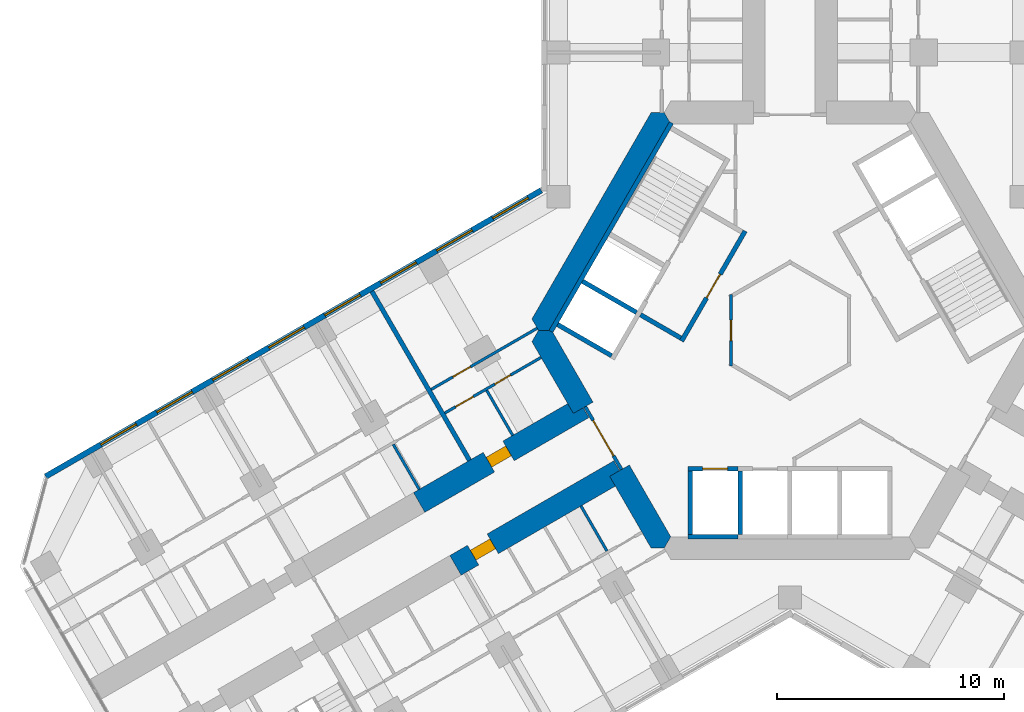
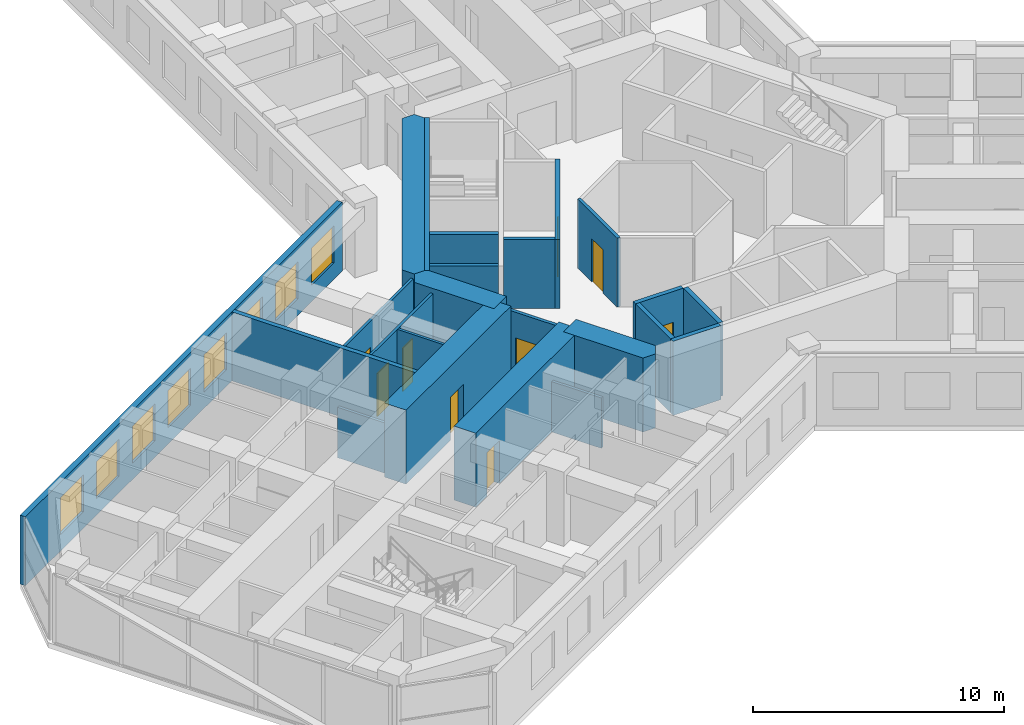
# One storey, part 12 of 21: 23 walls, 9 doors, 8 windows, 17 openings.
"""IFC4 building model written with IfcOpenShell, lengths in metres."""

from ifc_helpers import new_model, si_unit, direction, frame, frame_2d, origin, place, context, subcontext, project, spatial, polyline, rectangle, outline, extrude, material, layer, layer_set, type_object, element, fill, save


model = new_model("IFC4")

# Units and contexts
model_context = context("Model", 3, precision=1e-05, world=origin(), true_north=direction((0.0, 1.0)))
body_context = subcontext(model_context, "Body", "Model", "MODEL_VIEW")
ifc_project = project(units=[si_unit("LENGTHUNIT", "METRE"), si_unit("AREAUNIT", "SQUARE_METRE"), si_unit("VOLUMEUNIT", "CUBIC_METRE"), si_unit("PLANEANGLEUNIT", "RADIAN"), si_unit("MASSUNIT", "GRAM", prefix="KILO")], contexts=[model_context])

# Site, building, storey
site_placement = place(None, origin())
site = spatial("IfcSite", under=ifc_project, at=site_placement, CompositionType="ELEMENT")
building_placement = place(site_placement, origin())
building = spatial("IfcBuilding", under=site, at=building_placement, Name="Kosmar Iwan School Tower", CompositionType="ELEMENT")
storey_placement = place(building_placement, frame((0.0, 0.0, 50.199951171875)))
storey = spatial("IfcBuildingStorey", under=building, at=storey_placement, Name="L11", CompositionType="ELEMENT", Elevation=50.199951171875)

# Wall, opening, door
ifc_material_1 = material(Name="Gypsum board on steel studs, fire-rated", Category="steel")
ifc_layer_1 = layer(ifc_material_1, 0.14990234375)
ifc_layer_set_1 = layer_set([ifc_layer_1], Name="Core room partition 150")
wall_type_1 = type_object("IfcWallType", Name="Core room partition 150", PredefinedType="PARTITIONING", material=ifc_layer_set_1)
wall_1_placement = place(storey_placement, frame((-2.60009765625, -1.576171875, 0.0), z_axis=(0.0, 0.0, 1.0), x_axis=(0.0, 1.0, 0.0)))
wall_1 = element("IfcWall", 1, at=wall_1_placement, inside=storey, type_object=wall_type_1, Name="Core room partition L11-CW6", PredefinedType="PARTITIONING", context=body_context, shape_type="SweptSolid", body=[
    extrude(rectangle(XDim=3.15234375, YDim=0.14990234375, at=frame_2d((1.576171875, 0.0))), origin(), (0.0, 0.0, 1.0), 3.35009765625),
])
opening_1_placement = place(wall_1_placement, frame((1.1259765625, 0.0, 0.0)))
opening_1 = element("IfcOpeningElement", 2, at=opening_1_placement, cuts=wall_1, Name="Opening D14", PredefinedType="OPENING", context=body_context, shape_type="SweptSolid", body=[
    extrude(rectangle(XDim=0.89990234375, YDim=2.10009765625, at=frame_2d((0.449951171875, 1.050048828125))), frame((0.0, 0.0869140625, 0.0), z_axis=(0.0, -1.0, 0.0), x_axis=(1.0, 0.0, 0.0)), (0.0, 0.0, 1.0), 0.173828125),
])
ifc_material_2 = material(Name="Timber fire door in steel frame", Category="steel")
door_type_1 = type_object("IfcDoorType", Name="Core room door 900x2100", OperationType="SINGLE_SWING_LEFT", PredefinedType="DOOR", material=ifc_material_2)
door_1_placement = place(opening_1_placement, origin())
door_1 = element("IfcDoor", 3, at=door_1_placement, inside=storey, type_object=door_type_1, Name="Parcel room door L11 3", OperationType="SINGLE_SWING_LEFT", OverallHeight=2.10009765625, OverallWidth=0.89990234375, PredefinedType="DOOR", context=body_context, shape_type="SweptSolid", body=[
    extrude(rectangle(XDim=0.89990234375, YDim=2.10009765625, at=frame_2d((0.449951171875, 1.050048828125))), frame((0.0, 0.02490234375, 0.0), z_axis=(0.0, -1.0, 0.0), x_axis=(1.0, 0.0, 0.0)), (0.0, 0.0, 1.0), 0.050048828125),
])
fill(opening_1, door_1)

# Walls
ifc_material_3 = material(Name="Concrete C50/60", Category="concrete")
ifc_layer_2 = layer(ifc_material_3, 1.0)
ifc_layer_set_2 = layer_set([ifc_layer_2], Name="Core wall 1000")
wall_type_2 = type_object("IfcWallType", Name="Core wall 1000", PredefinedType="SHEAR", material=ifc_layer_set_2)
wall_2_placement = place(storey_placement, origin())
element("IfcWall", 4, at=wall_2_placement, inside=storey, type_object=wall_type_2, Name="Core wall F150", PredefinedType="SHEAR", context=body_context, shape_type="SweptSolid", body=[
    extrude(outline(polyline([(-11.085205078125, 0.0), (-10.5078125, 0.0), (-5.25390625, 9.10009765625), (-5.54248046875, 9.60009765625), (-6.119873046875, 9.60009765625), (-11.373779296875, 0.5), (-11.085205078125, 0.0)])), origin(), (0.0, 0.0, 1.0), 3.60009765625),
])
wall_3_placement = place(storey_placement, origin())
element("IfcWall", 5, at=wall_3_placement, inside=storey, type_object=wall_type_2, Name="Core wall F210a", PredefinedType="SHEAR", context=body_context, shape_type="SweptSolid", body=[
    extrude(outline(polyline([(-9.546875, -3.664306640625), (-8.680908203125, -3.164306640625), (-10.5078125, 0.0), (-11.085205078125, 0.0), (-11.373779296875, -0.5), (-9.546875, -3.664306640625)])), origin(), (0.0, 0.0, 1.0), 3.60009765625),
])
wall_4_placement = place(storey_placement, origin())
element("IfcWall", 6, at=wall_4_placement, inside=storey, type_object=wall_type_2, Name="Core wall F210b", PredefinedType="SHEAR", context=body_context, shape_type="SweptSolid", body=[
    extrude(outline(polyline([(-6.119873046875, -9.60009765625), (-5.54248046875, -9.60009765625), (-5.25390625, -9.10009765625), (-7.080810546875, -5.935546875), (-7.94677734375, -6.435546875), (-6.119873046875, -9.60009765625)])), origin(), (0.0, 0.0, 1.0), 3.60009765625),
])

# Wall, opening, door
ifc_material_4 = material(Name="Concrete C50/60", Category="concrete")
ifc_layer_3 = layer(ifc_material_4, 1.0)
ifc_layer_set_3 = layer_set([ifc_layer_3], Name="Corridor buttress wall 1000")
wall_type_3 = type_object("IfcWallType", Name="Corridor buttress wall 1000", PredefinedType="SHEAR", material=ifc_layer_set_3)
wall_5_placement = place(storey_placement, frame((-7.513916015625, -6.185546875, 0.0), z_axis=(0.0, 0.0, 1.0), x_axis=(-0.866019549707, -0.500010139422, 0.0)))
wall_5 = element("IfcWall", 7, at=wall_5_placement, inside=storey, type_object=wall_type_3, Name="Corridor wall BL", PredefinedType="SHEAR", context=body_context, shape_type="SweptSolid", body=[
    extrude(rectangle(XDim=8.349853515625, YDim=1.0, at=frame_2d((4.1748046875, 0.0))), origin(), (0.0, 0.0, 1.0), 3.60009765625),
])
opening_2_placement = place(wall_5_placement, frame((6.449951171875, 0.0, 0.0)))
opening_2 = element("IfcOpeningElement", 8, at=opening_2_placement, cuts=wall_5, Name="Opening D1", PredefinedType="OPENING", context=body_context, shape_type="SweptSolid", body=[
    extrude(rectangle(XDim=1.0, YDim=2.10009765625, at=frame_2d((0.5, 1.050048828125))), frame((0.0, 0.511962890625, 0.0), z_axis=(0.0, -1.0, 0.0), x_axis=(1.0, 0.0, 0.0)), (0.0, 0.0, 1.0), 1.02392578125),
])
ifc_material_5 = material(Name="Timber fire door in steel frame", Category="steel")
door_type_2 = type_object("IfcDoorType", Name="Flat entrance door 1000x2100", OperationType="SINGLE_SWING_LEFT", PredefinedType="DOOR", material=ifc_material_5)
door_2_placement = place(opening_2_placement, origin())
door_2 = element("IfcDoor", 9, at=door_2_placement, inside=storey, type_object=door_type_2, Name="Flat L11-BL1 entrance door", OperationType="SINGLE_SWING_LEFT", OverallHeight=2.10009765625, OverallWidth=1.0, PredefinedType="DOOR", context=body_context, shape_type="SweptSolid", body=[
    extrude(rectangle(XDim=1.0, YDim=2.10009765625, at=frame_2d((0.5, 1.050048828125))), frame((0.0, 0.25, 0.0), z_axis=(0.0, -1.0, 0.0), x_axis=(1.0, 0.0, 0.0)), (0.0, 0.0, 1.0), 0.5),
])
fill(opening_2, door_2)

wall_6_placement = place(storey_placement, frame((-9.11376953125, -3.414306640625, 0.0), z_axis=(0.0, 0.0, 1.0), x_axis=(-0.866026859388, -0.499997478812, 0.0)))
wall_6 = element("IfcWall", 10, at=wall_6_placement, inside=storey, type_object=wall_type_3, Name="Corridor wall BR", PredefinedType="SHEAR", context=body_context, shape_type="SweptSolid", body=[
    extrude(rectangle(XDim=8.35009765625, YDim=1.0, at=frame_2d((4.175048828125, 0.0))), origin(), (0.0, 0.0, 1.0), 3.60009765625),
])
opening_3_placement = place(wall_6_placement, frame((3.800048828125, 0.0, 0.0)))
opening_3 = element("IfcOpeningElement", 11, at=opening_3_placement, cuts=wall_6, Name="Opening D1", PredefinedType="OPENING", context=body_context, shape_type="SweptSolid", body=[
    extrude(rectangle(XDim=1.0, YDim=2.10009765625, at=frame_2d((0.5, 1.050048828125))), frame((0.0, 0.511962890625, 0.0), z_axis=(0.0, -1.0, 0.0), x_axis=(1.0, 0.0, 0.0)), (0.0, 0.0, 1.0), 1.02392578125),
])
door_3_placement = place(opening_3_placement, origin())
door_3 = element("IfcDoor", 12, at=door_3_placement, inside=storey, type_object=door_type_2, Name="Flat L11-BR1 entrance door", OperationType="SINGLE_SWING_RIGHT", OverallHeight=2.10009765625, OverallWidth=1.0, PredefinedType="DOOR", context=body_context, shape_type="SweptSolid", body=[
    extrude(rectangle(XDim=1.0, YDim=2.10009765625, at=frame_2d((0.5, 1.050048828125))), frame((0.0, 0.25, 0.0), z_axis=(0.0, -1.0, 0.0), x_axis=(1.0, 0.0, 0.0)), (0.0, 0.0, 1.0), 0.5),
])
fill(opening_3, door_3)

ifc_material_6 = material(Name="Steel framed glazed screen", Category="steel")
ifc_layer_4 = layer(ifc_material_6, 0.14990234375)
ifc_layer_set_4 = layer_set([ifc_layer_4], Name="Corridor screen wall 150")
wall_type_4 = type_object("IfcWallType", Name="Corridor screen wall 150", PredefinedType="PARTITIONING", material=ifc_layer_set_4)
wall_7_placement = place(storey_placement, frame((-9.02734375, -3.3642578125, 0.0), z_axis=(0.0, 0.0, 1.0), x_axis=(0.499995408039, -0.866028054938, 0.0)))
wall_7 = element("IfcWall", 13, at=wall_7_placement, inside=storey, type_object=wall_type_4, Name="Corridor screen B L11", PredefinedType="PARTITIONING", context=body_context, shape_type="SweptSolid", body=[
    extrude(rectangle(XDim=3.2001953125, YDim=0.14990234375, at=frame_2d((1.60009765625, 0.0))), origin(), (0.0, 0.0, 1.0), 3.35009765625),
])
opening_4_placement = place(wall_7_placement, frame((0.699951171875, 0.0, 0.0)))
opening_4 = element("IfcOpeningElement", 14, at=opening_4_placement, cuts=wall_7, Name="Opening D9", PredefinedType="OPENING", context=body_context, shape_type="SweptSolid", body=[
    extrude(rectangle(XDim=1.800048828125, YDim=2.10009765625, at=frame_2d((0.89990234375, 1.050048828125))), frame((0.0, 0.0869140625, 0.0), z_axis=(0.0, -1.0, 0.0), x_axis=(1.0, 0.0, 0.0)), (0.0, 0.0, 1.0), 0.173828125),
])
ifc_material_7 = material(Name="Steel framed glazed smoke door", Category="steel")
door_type_3 = type_object("IfcDoorType", Name="Corridor smoke door pair 1800x2100", OperationType="DOUBLE_DOOR_DOUBLE_SWING", PredefinedType="DOOR", material=ifc_material_7)
door_4_placement = place(opening_4_placement, origin())
door_4 = element("IfcDoor", 15, at=door_4_placement, inside=storey, type_object=door_type_3, Name="Corridor doors B L11", OperationType="DOUBLE_DOOR_DOUBLE_SWING", OverallHeight=2.10009765625, OverallWidth=1.800048828125, PredefinedType="DOOR", context=body_context, shape_type="SweptSolid", body=[
    extrude(rectangle(XDim=1.800048828125, YDim=2.10009765625, at=frame_2d((0.89990234375, 1.050048828125))), frame((0.0, 0.02490234375, 0.0), z_axis=(0.0, -1.0, 0.0), x_axis=(1.0, 0.0, 0.0)), (0.0, 0.0, 1.0), 0.050048828125),
])
fill(opening_4, door_4)

# Wall
ifc_material_8 = material(Name="Gypsum board on steel studs", Category="steel")
ifc_layer_5 = layer(ifc_material_8, 0.1201171875)
ifc_layer_set_5 = layer_set([ifc_layer_5], Name="Dwelling partition 120")
wall_type_5 = type_object("IfcWallType", Name="Dwelling partition 120", PredefinedType="PARTITIONING", material=ifc_layer_set_5)
wall_8_placement = place(storey_placement, frame((-9.21240234375, -7.74365234375, 0.0), z_axis=(0.0, 0.0, 1.0), x_axis=(0.500014693593, -0.866016920268, 0.0)))
element("IfcWall", 16, at=wall_8_placement, inside=storey, type_object=wall_type_5, Name="Partition L11-BL1-Y1", PredefinedType="PARTITIONING", context=body_context, shape_type="SweptSolid", body=[
    extrude(rectangle(XDim=2.2900390625, YDim=0.1201171875, at=frame_2d((1.14501953125, 0.0))), origin(), (0.0, 0.0, 1.0), 2.449951171875),
])

# Wall, openings, doors
wall_9_placement = place(storey_placement, frame((-10.971923828125, -1.1962890625, 0.0), z_axis=(0.0, 0.0, 1.0), x_axis=(-0.866023786258, -0.500002801628, 0.0)))
wall_9 = element("IfcWall", 17, at=wall_9_placement, inside=storey, type_object=wall_type_5, Name="Partition L11-BR1-W1", PredefinedType="PARTITIONING", context=body_context, shape_type="SweptSolid", body=[
    extrude(rectangle(XDim=4.89990234375, YDim=0.1201171875, at=frame_2d((2.449951171875, 0.0))), origin(), (0.0, 0.0, 1.0), 3.35009765625),
])
opening_5_placement = place(wall_9_placement, frame((1.550048828125, 0.0, 0.0)))
opening_5 = element("IfcOpeningElement", 18, at=opening_5_placement, cuts=wall_9, Name="Opening D3", PredefinedType="OPENING", context=body_context, shape_type="SweptSolid", body=[
    extrude(rectangle(XDim=0.800048828125, YDim=2.10009765625, at=frame_2d((0.39990234375, 1.050048828125))), frame((0.0, 0.072021484375, 0.0), z_axis=(0.0, -1.0, 0.0), x_axis=(1.0, 0.0, 0.0)), (0.0, 0.0, 1.0), 0.14404296875),
])
opening_6_placement = place(wall_9_placement, frame((3.449951171875, 0.0, 0.0)))
opening_6 = element("IfcOpeningElement", 19, at=opening_6_placement, cuts=wall_9, Name="Opening D2", PredefinedType="OPENING", context=body_context, shape_type="SweptSolid", body=[
    extrude(rectangle(XDim=0.89990234375, YDim=2.10009765625, at=frame_2d((0.449951171875, 1.050048828125))), frame((0.0, 0.072021484375, 0.0), z_axis=(0.0, -1.0, 0.0), x_axis=(1.0, 0.0, 0.0)), (0.0, 0.0, 1.0), 0.14404296875),
])
ifc_material_9 = material(Name="Timber door in timber frame", Category="wood")
door_type_4 = type_object("IfcDoorType", Name="Internal door 900x2100", OperationType="SINGLE_SWING_LEFT", PredefinedType="DOOR", material=ifc_material_9)
door_5_placement = place(opening_6_placement, origin())
door_5 = element("IfcDoor", 20, at=door_5_placement, inside=storey, type_object=door_type_4, Name="Entrance hall door L11-BR1-S2", OperationType="SINGLE_SWING_RIGHT", OverallHeight=2.10009765625, OverallWidth=0.89990234375, PredefinedType="DOOR", context=body_context, shape_type="SweptSolid", body=[
    extrude(rectangle(XDim=0.89990234375, YDim=2.10009765625, at=frame_2d((0.449951171875, 1.050048828125))), frame((0.0, 0.02490234375, 0.0), z_axis=(0.0, -1.0, 0.0), x_axis=(1.0, 0.0, 0.0)), (0.0, 0.0, 1.0), 0.050048828125),
])
fill(opening_6, door_5)
ifc_material_10 = material(Name="Timber door in timber frame", Category="wood")
door_type_5 = type_object("IfcDoorType", Name="Sanitary room door 800x2100", OperationType="SINGLE_SWING_LEFT", PredefinedType="DOOR", material=ifc_material_10)
door_6_placement = place(opening_5_placement, origin())
door_6 = element("IfcDoor", 21, at=door_6_placement, inside=storey, type_object=door_type_5, Name="Bathroom door L11-BR1-S1", OperationType="SINGLE_SWING_RIGHT", OverallHeight=2.10009765625, OverallWidth=0.800048828125, PredefinedType="DOOR", context=body_context, shape_type="SweptSolid", body=[
    extrude(rectangle(XDim=0.800048828125, YDim=2.10009765625, at=frame_2d((0.39990234375, 1.050048828125))), frame((0.0, 0.02490234375, 0.0), z_axis=(0.0, -1.0, 0.0), x_axis=(1.0, 0.0, 0.0)), (0.0, 0.0, 1.0), 0.050048828125),
])
fill(opening_5, door_6)

# Wall, opening, door
wall_10_placement = place(storey_placement, frame((-11.138916015625, 0.093017578125, 0.0), z_axis=(0.0, 0.0, 1.0), x_axis=(-0.866028230842, -0.499995103361, 0.0)))
wall_10 = element("IfcWall", 22, at=wall_10_placement, inside=storey, type_object=wall_type_5, Name="Partition L11-BR1-W2", PredefinedType="PARTITIONING", context=body_context, shape_type="SweptSolid", body=[
    extrude(rectangle(XDim=5.39990234375, YDim=0.1201171875, at=frame_2d((2.699951171875, 0.0))), origin(), (0.0, 0.0, 1.0), 3.35009765625),
])
opening_7_placement = place(wall_10_placement, frame((3.39990234375, 0.0, 0.0)))
opening_7 = element("IfcOpeningElement", 23, at=opening_7_placement, cuts=wall_10, Name="Opening D2", PredefinedType="OPENING", context=body_context, shape_type="SweptSolid", body=[
    extrude(rectangle(XDim=0.89990234375, YDim=2.10009765625, at=frame_2d((0.449951171875, 1.050048828125))), frame((0.0, 0.072021484375, 0.0), z_axis=(0.0, -1.0, 0.0), x_axis=(1.0, 0.0, 0.0)), (0.0, 0.0, 1.0), 0.14404296875),
])
door_7_placement = place(opening_7_placement, origin())
door_7 = element("IfcDoor", 24, at=door_7_placement, inside=storey, type_object=door_type_4, Name="Studio living room and kitchen door L11-BR1-F1", OperationType="SINGLE_SWING_RIGHT", OverallHeight=2.10009765625, OverallWidth=0.89990234375, PredefinedType="DOOR", context=body_context, shape_type="SweptSolid", body=[
    extrude(rectangle(XDim=0.89990234375, YDim=2.10009765625, at=frame_2d((0.449951171875, 1.050048828125))), frame((0.0, 0.02490234375, 0.0), z_axis=(0.0, -1.0, 0.0), x_axis=(1.0, 0.0, 0.0)), (0.0, 0.0, 1.0), 0.050048828125),
])
fill(opening_7, door_7)

# Walls
wall_11_placement = place(storey_placement, frame((-12.2216796875, -4.63134765625, 0.0), z_axis=(0.0, 0.0, 1.0), x_axis=(-0.500014693593, 0.866016920268, 0.0)))
element("IfcWall", 25, at=wall_11_placement, inside=storey, type_object=wall_type_5, Name="Partition L11-BR1-Y1", PredefinedType="PARTITIONING", context=body_context, shape_type="SweptSolid", body=[
    extrude(rectangle(XDim=2.2900390625, YDim=0.1201171875, at=frame_2d((1.14501953125, 0.0))), origin(), (0.0, 0.0, 1.0), 3.35009765625),
])
wall_12_placement = place(storey_placement, frame((-16.341552734375, -7.010009765625, 0.0), z_axis=(0.0, 0.0, 1.0), x_axis=(-0.499968531483, 0.866043571379, 0.0)))
element("IfcWall", 26, at=wall_12_placement, inside=storey, type_object=wall_type_5, Name="Partition L11-BR2-Y1", PredefinedType="PARTITIONING", context=body_context, shape_type="SweptSolid", body=[
    extrude(rectangle(XDim=2.290283203125, YDim=0.1201171875, at=frame_2d((1.14501953125, 0.0))), origin(), (0.0, 0.0, 1.0), 2.449951171875),
])

# Wall, openings, windows
ifc_material_11 = material(Name="Black aluminium rainscreen on insulated framing", Category="aluminium")
ifc_layer_6 = layer(ifc_material_11, 0.25)
ifc_layer_set_6 = layer_set([ifc_layer_6], Name="External wall rainscreen 250")
wall_type_6 = type_object("IfcWallType", Name="External wall rainscreen 250", PredefinedType="SOLIDWALL", material=ifc_layer_set_6)
wall_13_placement = place(storey_placement, frame((-10.962890625, 6.170166015625, 0.0), z_axis=(0.0, 0.0, 1.0), x_axis=(-0.86602796634, -0.499995561497, 0.0)))
wall_13 = element("IfcWall", 27, at=wall_13_placement, inside=storey, type_object=wall_type_6, Name="External wall BR L11", PredefinedType="SOLIDWALL", context=body_context, shape_type="SweptSolid", body=[
    extrude(rectangle(XDim=25.226318359375, YDim=0.25, at=frame_2d((12.61328125, 0.0))), origin(), (0.0, 0.0, 1.0), 3.35009765625),
])
opening_8_placement = place(wall_13_placement, frame((0.666015625, 0.0, 0.800048828125)))
opening_8 = element("IfcOpeningElement", 28, at=opening_8_placement, cuts=wall_13, Name="Opening W1", PredefinedType="OPENING", context=body_context, shape_type="SweptSolid", body=[
    extrude(rectangle(XDim=1.800048828125, YDim=1.800048828125, at=frame_2d((0.89990234375, 0.89990234375))), frame((0.0, 0.136962890625, 0.0), z_axis=(0.0, -1.0, 0.0), x_axis=(1.0, 0.0, 0.0)), (0.0, 0.0, 1.0), 0.27392578125),
])
opening_9_placement = place(wall_13_placement, frame((3.51611328125, 0.0, 0.800048828125)))
opening_9 = element("IfcOpeningElement", 29, at=opening_9_placement, cuts=wall_13, Name="Opening W1", PredefinedType="OPENING", context=body_context, shape_type="SweptSolid", body=[
    extrude(rectangle(XDim=1.800048828125, YDim=1.800048828125, at=frame_2d((0.89990234375, 0.89990234375))), frame((0.0, 0.136962890625, 0.0), z_axis=(0.0, -1.0, 0.0), x_axis=(1.0, 0.0, 0.0)), (0.0, 0.0, 1.0), 0.27392578125),
])
opening_10_placement = place(wall_13_placement, frame((6.365966796875, 0.0, 0.800048828125)))
opening_10 = element("IfcOpeningElement", 30, at=opening_10_placement, cuts=wall_13, Name="Opening W1", PredefinedType="OPENING", context=body_context, shape_type="SweptSolid", body=[
    extrude(rectangle(XDim=1.800048828125, YDim=1.800048828125, at=frame_2d((0.89990234375, 0.89990234375))), frame((0.0, 0.136962890625, 0.0), z_axis=(0.0, -1.0, 0.0), x_axis=(1.0, 0.0, 0.0)), (0.0, 0.0, 1.0), 0.27392578125),
])
opening_11_placement = place(wall_13_placement, frame((9.216064453125, 0.0, 0.800048828125)))
opening_11 = element("IfcOpeningElement", 31, at=opening_11_placement, cuts=wall_13, Name="Opening W1", PredefinedType="OPENING", context=body_context, shape_type="SweptSolid", body=[
    extrude(rectangle(XDim=1.800048828125, YDim=1.800048828125, at=frame_2d((0.89990234375, 0.89990234375))), frame((0.0, 0.136962890625, 0.0), z_axis=(0.0, -1.0, 0.0), x_axis=(1.0, 0.0, 0.0)), (0.0, 0.0, 1.0), 0.27392578125),
])
opening_12_placement = place(wall_13_placement, frame((12.06591796875, 0.0, 0.800048828125)))
opening_12 = element("IfcOpeningElement", 32, at=opening_12_placement, cuts=wall_13, Name="Opening W1", PredefinedType="OPENING", context=body_context, shape_type="SweptSolid", body=[
    extrude(rectangle(XDim=1.800048828125, YDim=1.800048828125, at=frame_2d((0.89990234375, 0.89990234375))), frame((0.0, 0.136962890625, 0.0), z_axis=(0.0, -1.0, 0.0), x_axis=(1.0, 0.0, 0.0)), (0.0, 0.0, 1.0), 0.27392578125),
])
opening_13_placement = place(wall_13_placement, frame((14.916015625, 0.0, 0.800048828125)))
opening_13 = element("IfcOpeningElement", 33, at=opening_13_placement, cuts=wall_13, Name="Opening W1", PredefinedType="OPENING", context=body_context, shape_type="SweptSolid", body=[
    extrude(rectangle(XDim=1.800048828125, YDim=1.800048828125, at=frame_2d((0.89990234375, 0.89990234375))), frame((0.0, 0.136962890625, 0.0), z_axis=(0.0, -1.0, 0.0), x_axis=(1.0, 0.0, 0.0)), (0.0, 0.0, 1.0), 0.27392578125),
])
opening_14_placement = place(wall_13_placement, frame((17.76611328125, 0.0, 0.800048828125)))
opening_14 = element("IfcOpeningElement", 34, at=opening_14_placement, cuts=wall_13, Name="Opening W1", PredefinedType="OPENING", context=body_context, shape_type="SweptSolid", body=[
    extrude(rectangle(XDim=1.800048828125, YDim=1.800048828125, at=frame_2d((0.89990234375, 0.89990234375))), frame((0.0, 0.136962890625, 0.0), z_axis=(0.0, -1.0, 0.0), x_axis=(1.0, 0.0, 0.0)), (0.0, 0.0, 1.0), 0.27392578125),
])
opening_15_placement = place(wall_13_placement, frame((20.615966796875, 0.0, 0.800048828125)))
opening_15 = element("IfcOpeningElement", 35, at=opening_15_placement, cuts=wall_13, Name="Opening W1", PredefinedType="OPENING", context=body_context, shape_type="SweptSolid", body=[
    extrude(rectangle(XDim=1.800048828125, YDim=1.800048828125, at=frame_2d((0.89990234375, 0.89990234375))), frame((0.0, 0.136962890625, 0.0), z_axis=(0.0, -1.0, 0.0), x_axis=(1.0, 0.0, 0.0)), (0.0, 0.0, 1.0), 0.27392578125),
])
ifc_material_12 = material(Name="Black aluminium frame with dark triple glazing", Category="aluminium")
window_type = type_object("IfcWindowType", Name="Window 1800x1800", PartitioningType="SINGLE_PANEL", PredefinedType="WINDOW", material=ifc_material_12)
window_1_placement = place(opening_8_placement, origin())
window_1 = element("IfcWindow", 36, at=window_1_placement, inside=storey, type_object=window_type, Name="Window BR L11 -1", OverallHeight=1.800048828125, OverallWidth=1.800048828125, PartitioningType="SINGLE_PANEL", PredefinedType="WINDOW", context=body_context, shape_type="SweptSolid", body=[
    extrude(rectangle(XDim=1.800048828125, YDim=1.800048828125, at=frame_2d((0.89990234375, 0.89990234375))), frame((0.0, 0.030029296875, 0.0), z_axis=(0.0, -1.0, 0.0), x_axis=(1.0, 0.0, 0.0)), (0.0, 0.0, 1.0), 0.06005859375),
])
fill(opening_8, window_1)
window_2_placement = place(opening_9_placement, origin())
window_2 = element("IfcWindow", 37, at=window_2_placement, inside=storey, type_object=window_type, Name="Window BR L11 0", OverallHeight=1.800048828125, OverallWidth=1.800048828125, PartitioningType="SINGLE_PANEL", PredefinedType="WINDOW", context=body_context, shape_type="SweptSolid", body=[
    extrude(rectangle(XDim=1.800048828125, YDim=1.800048828125, at=frame_2d((0.89990234375, 0.89990234375))), frame((0.0, 0.030029296875, 0.0), z_axis=(0.0, -1.0, 0.0), x_axis=(1.0, 0.0, 0.0)), (0.0, 0.0, 1.0), 0.06005859375),
])
fill(opening_9, window_2)
window_3_placement = place(opening_10_placement, origin())
window_3 = element("IfcWindow", 38, at=window_3_placement, inside=storey, type_object=window_type, Name="Window BR L11 1", OverallHeight=1.800048828125, OverallWidth=1.800048828125, PartitioningType="SINGLE_PANEL", PredefinedType="WINDOW", context=body_context, shape_type="SweptSolid", body=[
    extrude(rectangle(XDim=1.800048828125, YDim=1.800048828125, at=frame_2d((0.89990234375, 0.89990234375))), frame((0.0, 0.030029296875, 0.0), z_axis=(0.0, -1.0, 0.0), x_axis=(1.0, 0.0, 0.0)), (0.0, 0.0, 1.0), 0.06005859375),
])
fill(opening_10, window_3)
window_4_placement = place(opening_11_placement, origin())
window_4 = element("IfcWindow", 39, at=window_4_placement, inside=storey, type_object=window_type, Name="Window BR L11 2", OverallHeight=1.800048828125, OverallWidth=1.800048828125, PartitioningType="SINGLE_PANEL", PredefinedType="WINDOW", context=body_context, shape_type="SweptSolid", body=[
    extrude(rectangle(XDim=1.800048828125, YDim=1.800048828125, at=frame_2d((0.89990234375, 0.89990234375))), frame((0.0, 0.030029296875, 0.0), z_axis=(0.0, -1.0, 0.0), x_axis=(1.0, 0.0, 0.0)), (0.0, 0.0, 1.0), 0.06005859375),
])
fill(opening_11, window_4)
window_5_placement = place(opening_12_placement, origin())
window_5 = element("IfcWindow", 40, at=window_5_placement, inside=storey, type_object=window_type, Name="Window BR L11 3", OverallHeight=1.800048828125, OverallWidth=1.800048828125, PartitioningType="SINGLE_PANEL", PredefinedType="WINDOW", context=body_context, shape_type="SweptSolid", body=[
    extrude(rectangle(XDim=1.800048828125, YDim=1.800048828125, at=frame_2d((0.89990234375, 0.89990234375))), frame((0.0, 0.030029296875, 0.0), z_axis=(0.0, -1.0, 0.0), x_axis=(1.0, 0.0, 0.0)), (0.0, 0.0, 1.0), 0.06005859375),
])
fill(opening_12, window_5)
window_6_placement = place(opening_13_placement, origin())
window_6 = element("IfcWindow", 41, at=window_6_placement, inside=storey, type_object=window_type, Name="Window BR L11 4", OverallHeight=1.800048828125, OverallWidth=1.800048828125, PartitioningType="SINGLE_PANEL", PredefinedType="WINDOW", context=body_context, shape_type="SweptSolid", body=[
    extrude(rectangle(XDim=1.800048828125, YDim=1.800048828125, at=frame_2d((0.89990234375, 0.89990234375))), frame((0.0, 0.030029296875, 0.0), z_axis=(0.0, -1.0, 0.0), x_axis=(1.0, 0.0, 0.0)), (0.0, 0.0, 1.0), 0.06005859375),
])
fill(opening_13, window_6)
window_7_placement = place(opening_14_placement, origin())
window_7 = element("IfcWindow", 42, at=window_7_placement, inside=storey, type_object=window_type, Name="Window BR L11 5", OverallHeight=1.800048828125, OverallWidth=1.800048828125, PartitioningType="SINGLE_PANEL", PredefinedType="WINDOW", context=body_context, shape_type="SweptSolid", body=[
    extrude(rectangle(XDim=1.800048828125, YDim=1.800048828125, at=frame_2d((0.89990234375, 0.89990234375))), frame((0.0, 0.030029296875, 0.0), z_axis=(0.0, -1.0, 0.0), x_axis=(1.0, 0.0, 0.0)), (0.0, 0.0, 1.0), 0.06005859375),
])
fill(opening_14, window_7)
window_8_placement = place(opening_15_placement, origin())
window_8 = element("IfcWindow", 43, at=window_8_placement, inside=storey, type_object=window_type, Name="Window BR L11 6", OverallHeight=1.800048828125, OverallWidth=1.800048828125, PartitioningType="SINGLE_PANEL", PredefinedType="WINDOW", context=body_context, shape_type="SweptSolid", body=[
    extrude(rectangle(XDim=1.800048828125, YDim=1.800048828125, at=frame_2d((0.89990234375, 0.89990234375))), frame((0.0, 0.030029296875, 0.0), z_axis=(0.0, -1.0, 0.0), x_axis=(1.0, 0.0, 0.0)), (0.0, 0.0, 1.0), 0.06005859375),
])
fill(opening_15, window_8)

# Wall, opening, door
ifc_material_13 = material(Name="Concrete block masonry", Category="masonry")
ifc_layer_7 = layer(ifc_material_13, 0.199951171875)
ifc_layer_set_7 = layer_set([ifc_layer_7], Name="Fire lobby wall 200")
wall_type_7 = type_object("IfcWallType", Name="Fire lobby wall 200", PredefinedType="PARTITIONING", material=ifc_layer_set_7)
wall_14_placement = place(storey_placement, frame((-1.9775390625, 4.374755859375, 0.0), z_axis=(0.0, 0.0, 1.0), x_axis=(-0.500016814911, -0.866015695474, 0.0)))
wall_14 = element("IfcWall", 44, at=wall_14_placement, inside=storey, type_object=wall_type_7, Name="Firefighting lobby wall ST2", PredefinedType="PARTITIONING", context=body_context, shape_type="SweptSolid", body=[
    extrude(rectangle(XDim=5.599853515625, YDim=0.199951171875, at=frame_2d((2.7998046875, 0.0))), origin(), (0.0, 0.0, 1.0), 3.35009765625),
])
opening_16_placement = place(wall_14_placement, frame((2.199951171875, 0.0, 0.0)))
opening_16 = element("IfcOpeningElement", 45, at=opening_16_placement, cuts=wall_14, Name="Opening D7", PredefinedType="OPENING", context=body_context, shape_type="SweptSolid", body=[
    extrude(rectangle(XDim=1.199951171875, YDim=2.10009765625, at=frame_2d((0.60009765625, 1.050048828125))), frame((0.0, 0.112060546875, 0.0), z_axis=(0.0, -1.0, 0.0), x_axis=(1.0, 0.0, 0.0)), (0.0, 0.0, 1.0), 0.223876953125),
])
ifc_material_14 = material(Name="Steel fire door", Category="steel")
door_type_6 = type_object("IfcDoorType", Name="Fire lobby door 1200x2100", OperationType="SINGLE_SWING_LEFT", PredefinedType="DOOR", material=ifc_material_14)
door_8_placement = place(opening_16_placement, frame((1.199951171875, 0.0, 0.0), z_axis=(0.0, 0.0, 1.0), x_axis=(-1.0, 0.0, 0.0)))
door_8 = element("IfcDoor", 46, at=door_8_placement, inside=storey, type_object=door_type_6, Name="Firefighting lobby door ST2 L11", OperationType="SINGLE_SWING_LEFT", OverallHeight=2.10009765625, OverallWidth=1.199951171875, PredefinedType="DOOR", context=body_context, shape_type="SweptSolid", body=[
    extrude(rectangle(XDim=1.199951171875, YDim=2.10009765625, at=frame_2d((0.60009765625, 1.050048828125))), frame((0.0, 0.02490234375, 0.0), z_axis=(0.0, -1.0, 0.0), x_axis=(1.0, 0.0, 0.0)), (0.0, 0.0, 1.0), 0.050048828125),
])
fill(opening_16, door_8)

# Walls
wall_15_placement = place(storey_placement, frame((-4.814208984375, -0.33837890625, 0.0), z_axis=(0.0, 0.0, 1.0), x_axis=(-0.865969381856, 0.500097020274, 0.0)))
element("IfcWall", 47, at=wall_15_placement, inside=storey, type_object=wall_type_7, Name="Firefighting lobby wall ST2", PredefinedType="PARTITIONING", context=body_context, shape_type="SweptSolid", body=[
    extrude(rectangle(XDim=2.0498046875, YDim=0.199951171875, at=frame_2d((1.02490234375, 0.0))), origin(), (0.0, 0.0, 1.0), 3.35009765625),
])
ifc_material_15 = material(Name="Concrete C50/60", Category="concrete")
ifc_layer_8 = layer(ifc_material_15, 0.199951171875)
ifc_layer_set_8 = layer_set([ifc_layer_8], Name="Lift shaft wall 200")
wall_type_8 = type_object("IfcWallType", Name="Lift shaft wall 200", PredefinedType="SHEAR", material=ifc_layer_set_8)
wall_16_placement = place(storey_placement, frame((-5.22509765625, 9.14990234375, 0.0), z_axis=(0.0, 0.0, 1.0), x_axis=(-0.499994998079, -0.866028291626, 0.0)))
element("IfcWall", 48, at=wall_16_placement, inside=storey, type_object=wall_type_8, Name="Lift and stair back wall AB", PredefinedType="SHEAR", context=body_context, shape_type="SweptSolid", body=[
    extrude(rectangle(XDim=10.623046875, YDim=0.199951171875, at=frame_2d((5.3115234375, 0.0))), origin(), (0.0, 0.0, 1.0), 3.60009765625),
])
for number, where, z_axis, x_axis, name in (
    (49, (-6.7626953125, 0.78662109375, 0.0), (0.0, 0.0, 1.0), (-0.866027397988, 0.499996545922, 0.0), "Lift shaft wall AB 1"),
    (50, (-7.862548828125, -1.118408203125, 0.0), (0.0, 0.0, 1.0), (-0.866027397988, 0.499996545922, 0.0), "Lift shaft wall AB 2"),
):
    element("IfcWall", number, at=place(storey_placement, frame(where, z_axis=z_axis, x_axis=x_axis)), inside=storey, type_object=wall_type_8, Name=name, PredefinedType="SHEAR", context=body_context, shape_type="SweptSolid", body=[
        extrude(rectangle(XDim=2.75, YDim=0.199951171875, at=frame_2d((1.375, 0.0))), origin(), (0.0, 0.0, 1.0), 3.60009765625),
    ])

# Wall, opening, door
wall_17_placement = place(storey_placement, frame((-4.5, -6.10009765625, 0.0), z_axis=(0.0, 0.0, 1.0), x_axis=(1.0, 0.0, 0.0)))
wall_17 = element("IfcWall", 51, at=wall_17_placement, inside=storey, type_object=wall_type_8, Name="Lift and stair front wall BC", PredefinedType="SHEAR", context=body_context, shape_type="SweptSolid", body=[
    extrude(rectangle(XDim=2.199951171875, YDim=0.199951171875, at=frame_2d((1.10009765625, 0.0))), origin(), (0.0, 0.0, 1.0), 3.60009765625),
])
opening_17_placement = place(wall_17_placement, frame((0.64990234375, 0.0, 0.0)))
opening_17 = element("IfcOpeningElement", 52, at=opening_17_placement, cuts=wall_17, Name="Opening LD1", PredefinedType="OPENING", context=body_context, shape_type="SweptSolid", body=[
    extrude(rectangle(XDim=1.10009765625, YDim=2.10009765625, at=frame_2d((0.550048828125, 1.050048828125))), frame((0.0, 0.112060546875, 0.0), z_axis=(0.0, -1.0, 0.0), x_axis=(1.0, 0.0, 0.0)), (0.0, 0.0, 1.0), 0.223876953125),
])
ifc_material_16 = material(Name="Stainless steel sliding lift door", Category="steel")
door_type_7 = type_object("IfcDoorType", Name="Lift landing door 1100x2100", OperationType="SLIDING_TO_LEFT", PredefinedType="DOOR", material=ifc_material_16)
door_9_placement = place(opening_17_placement, origin())
door_9 = element("IfcDoor", 53, at=door_9_placement, inside=storey, type_object=door_type_7, Name="Lift PL1 landing door L11", OperationType="SLIDING_TO_LEFT", OverallHeight=2.10009765625, OverallWidth=1.10009765625, PredefinedType="DOOR", context=body_context, shape_type="SweptSolid", body=[
    extrude(rectangle(XDim=1.10009765625, YDim=2.10009765625, at=frame_2d((0.550048828125, 1.050048828125))), frame((0.0, 0.02490234375, 0.0), z_axis=(0.0, -1.0, 0.0), x_axis=(1.0, 0.0, 0.0)), (0.0, 0.0, 1.0), 0.050048828125),
])
fill(opening_17, door_9)

# Walls
wall_18_placement = place(storey_placement, frame((-4.5, -9.10009765625, 0.0), z_axis=(0.0, 0.0, 1.0), x_axis=(1.0, 0.0, 0.0)))
element("IfcWall", 54, at=wall_18_placement, inside=storey, type_object=wall_type_8, Name="Lift and stair back wall BC", PredefinedType="SHEAR", context=body_context, shape_type="SweptSolid", body=[
    extrude(rectangle(XDim=2.199951171875, YDim=0.199951171875, at=frame_2d((1.10009765625, 0.0))), origin(), (0.0, 0.0, 1.0), 3.60009765625),
])
for number, where, z_axis, x_axis, name in (
    (55, (-4.39990234375, -6.199951171875, 0.0), (0.0, 0.0, 1.0), (0.0, -1.0, 0.0), "Lift shaft wall BC 0"),
    (56, (-2.199951171875, -6.199951171875, 0.0), (0.0, 0.0, 1.0), (0.0, -1.0, 0.0), "Lift shaft wall BC 1"),
):
    element("IfcWall", number, at=place(storey_placement, frame(where, z_axis=z_axis, x_axis=x_axis)), inside=storey, type_object=wall_type_8, Name=name, PredefinedType="SHEAR", context=body_context, shape_type="SweptSolid", body=[
        extrude(rectangle(XDim=2.800048828125, YDim=0.199951171875, at=frame_2d((1.39990234375, 0.0))), origin(), (0.0, 0.0, 1.0), 3.60009765625),
    ])
ifc_material_17 = material(Name="Concrete block masonry", Category="masonry")
ifc_layer_9 = layer(ifc_material_17, 0.199951171875)
ifc_layer_set_9 = layer_set([ifc_layer_9], Name="Party wall 200")
wall_type_9 = type_object("IfcWallType", Name="Party wall 200", PredefinedType="PARTITIONING", material=ifc_layer_set_9)
wall_19_placement = place(storey_placement, frame((-14.126953125, -5.7314453125, 0.0), z_axis=(0.0, 0.0, 1.0), x_axis=(-0.499995216735, 0.866028165386, 0.0)))
element("IfcWall", 57, at=wall_19_placement, inside=storey, type_object=wall_type_9, Name="Partition L11-BR2-PW", PredefinedType="PARTITIONING", context=body_context, shape_type="SweptSolid", body=[
    extrude(rectangle(XDim=8.60009765625, YDim=0.199951171875, at=frame_2d((4.300048828125, 0.0))), origin(), (0.0, 0.0, 1.0), 3.35009765625),
])

save(model, "model.ifc")
